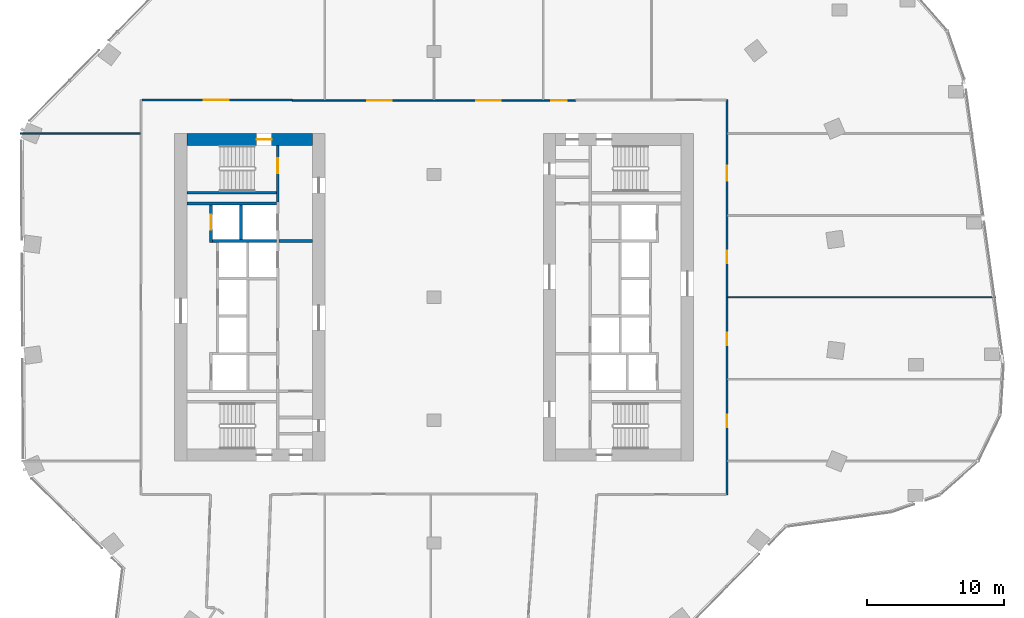
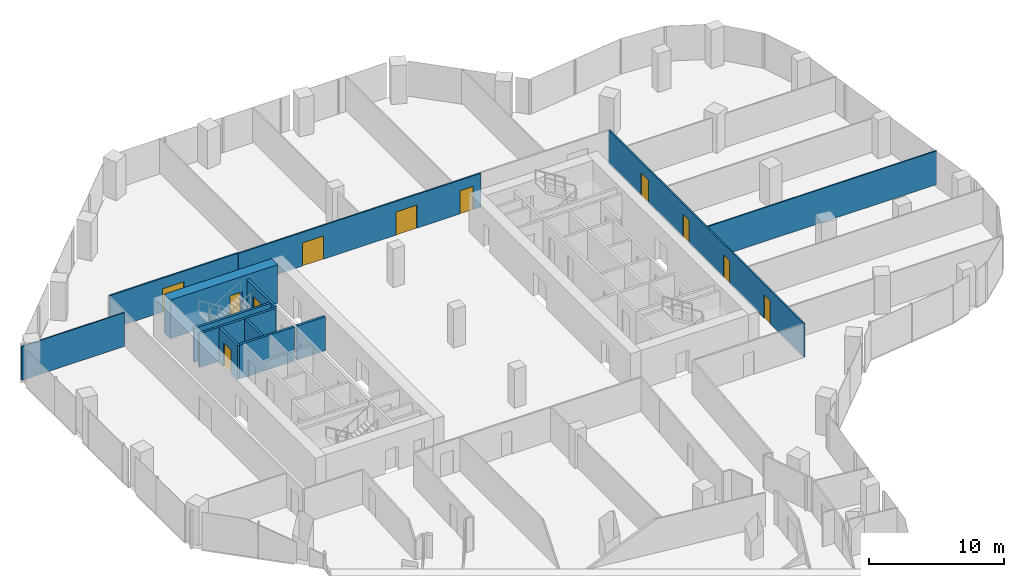
# One storey, part 22 of 27: 13 walls, 11 doors, 11 openings.
"""IFC4 building model written with IfcOpenShell, lengths in metres."""

import ifcopenshell
import ifcopenshell.guid

model = None  # the IFC model being written
_history = None  # IfcOwnerHistory: only IFC2X3 demands one
_inside = {}  # id of a spatial element -> (the spatial element, [elements in it])
_under = {}  # id of a project, library or spatial element -> (it, [spatial elements below it])
_declared = {}  # id of a project -> (the project, [libraries it declares])
_typed = {}  # id of a type object -> (the type object, [elements of that type])
_made_of = {}  # id of a material, layer set ... -> (it, [elements and type objects made of it])


def new_model(schema):
    """Start an empty IFC model of exactly this schema.

    Asked for "IFC4X3", IfcOpenShell would pick the latest addendum, in which some entities
    have other attributes; the version numbers below select the first issue.
    IFC2X3 requires an IfcOwnerHistory on every rooted entity: one is made here for all.
    """
    global model, _history
    if schema == "IFC4X3":
        model = ifcopenshell.file(schema_version=(4, 3, 0, 0))
    else:
        model = ifcopenshell.file(schema=schema)
    _inside.clear()
    _under.clear()
    _declared.clear()
    _typed.clear()
    _made_of.clear()
    _history = None
    if model.schema == "IFC2X3":
        org = make("IfcOrganization", Name="unknown")
        user = make(
            "IfcPersonAndOrganization",
            ThePerson=make("IfcPerson", FamilyName="unknown"),
            TheOrganization=org,
        )
        app = make(
            "IfcApplication",
            ApplicationDeveloper=org,
            Version="unknown",
            ApplicationFullName="unknown",
            ApplicationIdentifier="unknown",
        )
        _history = make(
            "IfcOwnerHistory",
            OwningUser=user,
            OwningApplication=app,
            ChangeAction="ADDED",
            CreationDate=0,
        )
    return model


def make(cls, **values):
    """One entity of the class cls with the attributes given. An attribute that is None is left unset."""
    return model.create_entity(
        cls, **{name: value for name, value in values.items() if value is not None}
    )


def rooted(cls, **values):
    """An entity with a GlobalId (a new one), such as an element, a storey or a relation."""
    return make(cls, GlobalId=ifcopenshell.guid.new(), OwnerHistory=_history, **values)


def si_unit(unit_type, name, prefix=None):
    """IfcSIUnit, for example si_unit("LENGTHUNIT", "METRE", prefix="MILLI")."""
    return make("IfcSIUnit", UnitType=unit_type, Prefix=prefix, Name=name)


def assignment(units):
    """IfcUnitAssignment: the units of a project."""
    return None if units is None else make("IfcUnitAssignment", Units=units)


def point(xyz):
    """IfcCartesianPoint."""
    return None if xyz is None else make("IfcCartesianPoint", Coordinates=xyz)


def direction(xyz):
    """IfcDirection."""
    return None if xyz is None else make("IfcDirection", DirectionRatios=xyz)


def frame(location, z_axis=None, x_axis=None):
    """IfcAxis2Placement3D, a coordinate frame: its origin and axes. An axis left out is left unset."""
    return make(
        "IfcAxis2Placement3D",
        Location=point(location),
        Axis=direction(z_axis),
        RefDirection=direction(x_axis),
    )


def frame_2d(location, x_axis=None):
    """IfcAxis2Placement2D, a coordinate frame in the plane: its origin and x axis."""
    return make(
        "IfcAxis2Placement2D", Location=point(location), RefDirection=direction(x_axis)
    )


def origin():
    """The frame at (0, 0, 0) with its axes left unset."""
    return frame((0.0, 0.0, 0.0))


def place(relative_to, where):
    """IfcLocalPlacement: puts the frame where relative to a parent placement (None: the world)."""
    return make(
        "IfcLocalPlacement", PlacementRelTo=relative_to, RelativePlacement=where
    )


def context(
    kind, dimensions, precision=None, world=None, true_north=None, identifier=None
):
    """IfcGeometricRepresentationContext, for example the 3D "Model" context."""
    return make(
        "IfcGeometricRepresentationContext",
        ContextIdentifier=identifier,
        ContextType=kind,
        CoordinateSpaceDimension=dimensions,
        Precision=precision,
        WorldCoordinateSystem=world,
        TrueNorth=true_north,
    )


def subcontext(parent, identifier, kind, view, scale=None):
    """IfcGeometricRepresentationSubContext, for example "Body" below "Model"."""
    return make(
        "IfcGeometricRepresentationSubContext",
        ContextIdentifier=identifier,
        ContextType=kind,
        ParentContext=parent,
        TargetScale=scale,
        TargetView=view,
    )


def project(units=None, contexts=None):
    """IfcProject with its units and contexts."""
    return rooted(
        "IfcProject",
        Name="project",
        RepresentationContexts=contexts,
        UnitsInContext=assignment(units),
    )


def spatial(cls, under=None, at=None, **own):
    """A site, building, storey or space (cls), placed at a placement, below another one or the project."""
    s = rooted(cls, ObjectPlacement=at, **own)
    if under is not None:
        _under.setdefault(under.id(), (under, []))[1].append(s)
    return s


def profile(cls, at=None, kind="AREA", **sizes):
    """A parametric profile (cls). Its sizes go by their IFC names, for example OverallWidth=200.0."""
    return make(cls, ProfileType=kind, Position=at, **sizes)


def rectangle(**sizes):
    """IfcRectangleProfileDef."""
    return profile("IfcRectangleProfileDef", **sizes)


def extrude(swept, where, along, depth):
    """IfcExtrudedAreaSolid: the profile swept, set in the frame where, extruded along a direction by depth."""
    return make(
        "IfcExtrudedAreaSolid",
        SweptArea=swept,
        Position=where,
        ExtrudedDirection=direction(along),
        Depth=depth,
    )


def shape(context_of_items, identifier, shape_type, items):
    """IfcShapeRepresentation: the items that make up one representation, for example the "Body"."""
    return make(
        "IfcShapeRepresentation",
        ContextOfItems=context_of_items,
        RepresentationIdentifier=identifier,
        RepresentationType=shape_type,
        Items=items,
    )


def material(Name=None, Category=None):
    """IfcMaterial."""
    return make("IfcMaterial", Name=Name, Category=Category)


def layer(
    of_material, thickness, ventilated=None, Name=None, Category=None, Priority=None
):
    """IfcMaterialLayer: one layer of a wall or slab, of a material (None: an air gap)."""
    return make(
        "IfcMaterialLayer",
        Material=of_material,
        LayerThickness=thickness,
        IsVentilated=ventilated,
        Name=Name,
        Category=Category,
        Priority=Priority,
    )


def layer_set(layers, Name=None):
    """IfcMaterialLayerSet."""
    return make("IfcMaterialLayerSet", MaterialLayers=layers, LayerSetName=Name)


def made_of(thing, what):
    """Note that an element or type object is made of a material, layer set ...; save() writes the relation."""
    if what is not None:
        _made_of.setdefault(what.id(), (what, []))[1].append(thing)
    return thing


def type_object(cls, material=None, **own):
    """A type object (cls), such as IfcWallType, which elements share."""
    return made_of(rooted(cls, **own), material)


def element(
    cls,
    number,
    at=None,
    inside=None,
    cuts=None,
    type_object=None,
    material=None,
    context=None,
    identifier="Body",
    shape_type=None,
    held_by="IfcProductDefinitionShape",
    body=None,
    shapes=None,
    **own,
):
    """One element of the class cls, such as IfcWall. Its Tag is "e" and its number.

    at: its placement. inside: the storey or other place that contains it. cuts: it is an
    opening in that element (IfcRelVoidsElement). A single representation is given by context,
    identifier, shape_type and body (its items); several are given by shapes. held_by: the class
    of the entity that holds the representations. save() writes the other relations.
    """
    e = rooted(cls, Tag="e%d" % number, ObjectPlacement=at, **own)
    if body is not None:
        shapes = [shape(context, identifier, shape_type, body)]
    if shapes is not None:
        e.Representation = make(held_by, Representations=shapes)
    if inside is not None:
        _inside.setdefault(inside.id(), (inside, []))[1].append(e)
    if cuts is not None:
        rooted(
            "IfcRelVoidsElement", RelatingBuildingElement=cuts, RelatedOpeningElement=e
        )
    if type_object is not None:
        _typed.setdefault(type_object.id(), (type_object, []))[1].append(e)
    return made_of(e, material)


def fill(opening, filler):
    """IfcRelFillsElement: the door or window that sits in an opening."""
    return rooted(
        "IfcRelFillsElement",
        RelatingOpeningElement=opening,
        RelatedBuildingElement=filler,
    )


def aggregate(whole, parts):
    """IfcRelAggregates: a whole, such as a stair, and the parts it consists of."""
    return rooted("IfcRelAggregates", RelatingObject=whole, RelatedObjects=parts)


def save(model, path):
    """Write the relations noted so far, then the file.

    IfcRelAggregates (storeys below a building ...), IfcRelContainedInSpatialStructure (elements
    in a storey), IfcRelDefinesByType, IfcRelAssociatesMaterial and IfcRelDeclares: one each for
    every whole, place, type object, material and project.
    """
    for whole, parts in _under.values():
        aggregate(whole, parts)
    for where, things in _inside.values():
        rooted(
            "IfcRelContainedInSpatialStructure",
            RelatedElements=things,
            RelatingStructure=where,
        )
    for kind, things in _typed.values():
        rooted("IfcRelDefinesByType", RelatedObjects=things, RelatingType=kind)
    for what, things in _made_of.values():
        rooted("IfcRelAssociatesMaterial", RelatedObjects=things, RelatingMaterial=what)
    for by, libraries in _declared.values():
        rooted("IfcRelDeclares", RelatingContext=by, RelatedDefinitions=libraries)
    model.write(path)


model = new_model("IFC4")

# Units and contexts
model_context = context("Model", 3, precision=1e-05, world=origin(), true_north=direction((0.0, 1.0)))
body_context = subcontext(model_context, "Body", "Model", "MODEL_VIEW")
ifc_project = project(units=[si_unit("LENGTHUNIT", "METRE"), si_unit("AREAUNIT", "SQUARE_METRE"), si_unit("VOLUMEUNIT", "CUBIC_METRE"), si_unit("PLANEANGLEUNIT", "RADIAN"), si_unit("MASSUNIT", "GRAM", prefix="KILO")], contexts=[model_context])

# Site, building, storey
site_placement = place(None, origin())
site = spatial("IfcSite", under=ifc_project, at=site_placement, CompositionType="ELEMENT")
building_placement = place(site_placement, origin())
building = spatial("IfcBuilding", under=site, at=building_placement, Name="Orlundy Tower", CompositionType="ELEMENT")
storey_placement = place(building_placement, frame((0.0, 0.0, 195.60009765625)))
storey = spatial("IfcBuildingStorey", under=building, at=storey_placement, Name="L51", CompositionType="ELEMENT", Elevation=195.60009765625)

# Wall, opening, door
ifc_material_1 = material(Name="Concrete C70/85", Category="concrete")
ifc_layer_1 = layer(ifc_material_1, 0.89990234375)
ifc_layer_set_1 = layer_set([ifc_layer_1], Name="CORE WALL 900 C70/85")
wall_type_1 = type_object("IfcWallType", Name="CORE WALL 900 C70/85", PredefinedType="SHEAR", material=ifc_layer_set_1)
wall_1_placement = place(storey_placement, frame((-18.10009765625, 11.550048828125, 0.0), z_axis=(0.0, 0.0, 1.0), x_axis=(1.0, 0.0, 0.0)))
wall_1 = element("IfcWall", 1, at=wall_1_placement, inside=storey, type_object=wall_type_1, Name="Core wall W-N L51", PredefinedType="SHEAR", context=body_context, shape_type="SweptSolid", body=[
    extrude(rectangle(XDim=9.2001953125, YDim=0.89990234375, at=frame_2d((4.60009765625, 0.0))), origin(), (0.0, 0.0, 1.0), 3.5),
])
opening_1_placement = place(wall_1_placement, frame((5.10009765625, 0.0, 0.0)))
opening_1 = element("IfcOpeningElement", 2, at=opening_1_placement, cuts=wall_1, Name="Opening 39012", PredefinedType="OPENING", context=body_context, shape_type="SweptSolid", body=[
    extrude(rectangle(XDim=1.10009765625, YDim=2.10009765625, at=frame_2d((0.550048828125, 1.050048828125))), frame((0.0, 0.4599609375, 0.0), z_axis=(0.0, -1.0, 0.0), x_axis=(1.0, 0.0, 0.0)), (0.0, 0.0, 1.0), 0.919921875),
])
ifc_material_2 = material(Name="Steel door set", Category="steel")
door_type_1 = type_object("IfcDoorType", Name="Stair Door 1100x2100", OperationType="SINGLE_SWING_LEFT", PredefinedType="DOOR", material=ifc_material_2)
door_1_placement = place(opening_1_placement, origin())
door_1 = element("IfcDoor", 3, at=door_1_placement, inside=storey, type_object=door_type_1, Name="Stair door 39012", OperationType="SINGLE_SWING_RIGHT", OverallHeight=2.10009765625, OverallWidth=1.10009765625, PredefinedType="DOOR", context=body_context, shape_type="SweptSolid", body=[
    extrude(rectangle(XDim=1.10009765625, YDim=2.10009765625, at=frame_2d((0.550048828125, 1.050048828125))), frame((0.0, 0.02490234375, 0.0), z_axis=(0.0, -1.0, 0.0), x_axis=(1.0, 0.0, 0.0)), (0.0, 0.0, 1.0), 0.050048828125),
])
fill(opening_1, door_1)

# Walls
ifc_material_3 = material(Name="Gypsum board partition")
ifc_layer_2 = layer(ifc_material_3, 0.10009765625)
ifc_layer_set_2 = layer_set([ifc_layer_2], Name="Floor partition 100")
wall_type_2 = type_object("IfcWallType", Name="Floor partition 100", PredefinedType="PARTITIONING", material=ifc_layer_set_2)
wall_2_placement = place(storey_placement, frame((21.511962890625, 0.0, 0.0), z_axis=(0.0, 0.0, 1.0), x_axis=(1.0, 0.0, 0.0)))
element("IfcWall", 4, at=wall_2_placement, inside=storey, type_object=wall_type_2, Name="wall-int-L51-036", PredefinedType="PARTITIONING", context=body_context, shape_type="SweptSolid", body=[
    extrude(rectangle(XDim=19.6220703125, YDim=0.10009765625, at=frame_2d((9.81103515625, 0.0))), origin(), (0.0, 0.0, 1.0), 3.059814453125),
])
wall_3_placement = place(storey_placement, frame((-30.321044921875, 12.0, 0.0), z_axis=(0.0, 0.0, 1.0), x_axis=(1.0, 0.0, 0.0)))
element("IfcWall", 5, at=wall_3_placement, inside=storey, type_object=wall_type_2, Name="wall-int-L51-038", PredefinedType="PARTITIONING", context=body_context, shape_type="SweptSolid", body=[
    extrude(rectangle(XDim=8.80908203125, YDim=0.10009765625, at=frame_2d((4.404541015625, 0.0))), origin(), (0.0, 0.0, 1.0), 3.059814453125),
])

# Wall, openings, doors
ifc_material_4 = material(Name="Gypsum board partition, double layer")
ifc_layer_3 = layer(ifc_material_4, 0.125)
ifc_layer_set_3 = layer_set([ifc_layer_3], Name="Floor partition 125")
wall_type_3 = type_object("IfcWallType", Name="Floor partition 125", PredefinedType="PARTITIONING", material=ifc_layer_set_3)
wall_4_placement = place(storey_placement, frame((-10.389892578125, 14.40087890625, 0.0), z_axis=(0.0, 0.0, 1.0), x_axis=(1.0, 0.0, 0.0)))
wall_4 = element("IfcWall", 6, at=wall_4_placement, inside=storey, type_object=wall_type_3, Name="wall-int-L51-040", PredefinedType="PARTITIONING", context=body_context, shape_type="SweptSolid", body=[
    extrude(rectangle(XDim=20.781005859375, YDim=0.125, at=frame_2d((10.390625, 0.0))), origin(), (0.0, 0.0, 1.0), 3.059814453125),
])
opening_2_placement = place(wall_4_placement, frame((18.989990234375, 0.0, 0.0)))
opening_2 = element("IfcOpeningElement", 7, at=opening_2_placement, cuts=wall_4, Name="Opening 39123", PredefinedType="OPENING", context=body_context, shape_type="SweptSolid", body=[
    extrude(rectangle(XDim=1.10009765625, YDim=2.10009765625, at=frame_2d((0.550048828125, 1.050048828125))), frame((0.0, 0.072509765625, 0.0), z_axis=(0.0, -1.0, 0.0), x_axis=(1.0, 0.0, 0.0)), (0.0, 0.0, 1.0), 0.14501953125),
])
opening_3_placement = place(wall_4_placement, frame((13.489990234375, 0.0, 0.0)))
opening_3 = element("IfcOpeningElement", 8, at=opening_3_placement, cuts=wall_4, Name="Opening 39124", PredefinedType="OPENING", context=body_context, shape_type="SweptSolid", body=[
    extrude(rectangle(XDim=1.800048828125, YDim=2.10009765625, at=frame_2d((0.89990234375, 1.050048828125))), frame((0.0, 0.072509765625, 0.0), z_axis=(0.0, -1.0, 0.0), x_axis=(1.0, 0.0, 0.0)), (0.0, 0.0, 1.0), 0.14501953125),
])
opening_4_placement = place(wall_4_placement, frame((5.489990234375, 0.0, 0.0)))
opening_4 = element("IfcOpeningElement", 9, at=opening_4_placement, cuts=wall_4, Name="Opening 39125", PredefinedType="OPENING", context=body_context, shape_type="SweptSolid", body=[
    extrude(rectangle(XDim=1.800048828125, YDim=2.10009765625, at=frame_2d((0.89990234375, 1.050048828125))), frame((0.0, 0.072509765625, 0.0), z_axis=(0.0, -1.0, 0.0), x_axis=(1.0, 0.0, 0.0)), (0.0, 0.0, 1.0), 0.14501953125),
])
ifc_material_5 = material(Name="Timber door leaf", Category="wood")
door_type_2 = type_object("IfcDoorType", Name="Floor door double 1800 FD30S", OperationType="NOTDEFINED", PredefinedType="DOOR", material=ifc_material_5)
door_2_placement = place(opening_3_placement, origin())
door_2 = element("IfcDoor", 10, at=door_2_placement, inside=storey, type_object=door_type_2, Name="Door 39124", OperationType="DOUBLE_DOOR_SINGLE_SWING", OverallHeight=2.10009765625, OverallWidth=1.800048828125, PredefinedType="DOOR", context=body_context, shape_type="SweptSolid", body=[
    extrude(rectangle(XDim=1.800048828125, YDim=2.10009765625, at=frame_2d((0.89990234375, 1.050048828125))), frame((0.0, 0.02490234375, 0.0), z_axis=(0.0, -1.0, 0.0), x_axis=(1.0, 0.0, 0.0)), (0.0, 0.0, 1.0), 0.050048828125),
])
fill(opening_3, door_2)
door_3_placement = place(opening_4_placement, origin())
door_3 = element("IfcDoor", 11, at=door_3_placement, inside=storey, type_object=door_type_2, Name="Door 39125", OperationType="DOUBLE_DOOR_SINGLE_SWING", OverallHeight=2.10009765625, OverallWidth=1.800048828125, PredefinedType="DOOR", context=body_context, shape_type="SweptSolid", body=[
    extrude(rectangle(XDim=1.800048828125, YDim=2.10009765625, at=frame_2d((0.89990234375, 1.050048828125))), frame((0.0, 0.02490234375, 0.0), z_axis=(0.0, -1.0, 0.0), x_axis=(1.0, 0.0, 0.0)), (0.0, 0.0, 1.0), 0.050048828125),
])
fill(opening_4, door_3)
ifc_material_6 = material(Name="Timber door leaf", Category="wood")
door_type_3 = type_object("IfcDoorType", Name="Floor door xwide 1100 FD30S", OperationType="NOTDEFINED", PredefinedType="DOOR", material=ifc_material_6)
door_4_placement = place(opening_2_placement, origin())
door_4 = element("IfcDoor", 12, at=door_4_placement, inside=storey, type_object=door_type_3, Name="Door 39123", OperationType="SINGLE_SWING_RIGHT", OverallHeight=2.10009765625, OverallWidth=1.10009765625, PredefinedType="DOOR", context=body_context, shape_type="SweptSolid", body=[
    extrude(rectangle(XDim=1.10009765625, YDim=2.10009765625, at=frame_2d((0.550048828125, 1.050048828125))), frame((0.0, 0.02490234375, 0.0), z_axis=(0.0, -1.0, 0.0), x_axis=(1.0, 0.0, 0.0)), (0.0, 0.0, 1.0), 0.050048828125),
])
fill(opening_2, door_4)

# Wall, opening, door
wall_5_placement = place(storey_placement, frame((-21.386962890625, 14.450927734375, 0.0), z_axis=(0.0, 0.0, 1.0), x_axis=(1.0, 0.0, 0.0)))
wall_5 = element("IfcWall", 13, at=wall_5_placement, inside=storey, type_object=wall_type_3, Name="wall-int-L51-041", PredefinedType="PARTITIONING", context=body_context, shape_type="SweptSolid", body=[
    extrude(rectangle(XDim=10.995849609375, YDim=0.125, at=frame_2d((5.498046875, 0.0))), origin(), (0.0, 0.0, 1.0), 3.059814453125),
])
opening_5_placement = place(wall_5_placement, frame((4.53759765625, 0.0, 0.0)))
opening_5 = element("IfcOpeningElement", 14, at=opening_5_placement, cuts=wall_5, Name="Opening 39126", PredefinedType="OPENING", context=body_context, shape_type="SweptSolid", body=[
    extrude(rectangle(XDim=1.800048828125, YDim=2.10009765625, at=frame_2d((0.89990234375, 1.050048828125))), frame((0.0, 0.072509765625, 0.0), z_axis=(0.0, -1.0, 0.0), x_axis=(1.0, 0.0, 0.0)), (0.0, 0.0, 1.0), 0.14501953125),
])
door_5_placement = place(opening_5_placement, origin())
door_5 = element("IfcDoor", 15, at=door_5_placement, inside=storey, type_object=door_type_2, Name="Door 39126", OperationType="DOUBLE_DOOR_SINGLE_SWING", OverallHeight=2.10009765625, OverallWidth=1.800048828125, PredefinedType="DOOR", context=body_context, shape_type="SweptSolid", body=[
    extrude(rectangle(XDim=1.800048828125, YDim=2.10009765625, at=frame_2d((0.89990234375, 1.050048828125))), frame((0.0, 0.02490234375, 0.0), z_axis=(0.0, -1.0, 0.0), x_axis=(1.0, 0.0, 0.0)), (0.0, 0.0, 1.0), 0.050048828125),
])
fill(opening_5, door_5)

# Wall, openings, doors
wall_6_placement = place(storey_placement, frame((21.449951171875, 14.450927734375, 0.0), z_axis=(0.0, 0.0, 1.0), x_axis=(0.0, -1.0, 0.0)))
wall_6 = element("IfcWall", 16, at=wall_6_placement, inside=storey, type_object=wall_type_3, Name="wall-int-L51-067", PredefinedType="PARTITIONING", context=body_context, shape_type="SweptSolid", body=[
    extrude(rectangle(XDim=28.90185546875, YDim=0.125, at=frame_2d((14.450927734375, 0.0))), origin(), (0.0, 0.0, 1.0), 3.059814453125),
])
opening_6_placement = place(wall_6_placement, frame((23.051025390625, 0.0, 0.0)))
opening_6 = element("IfcOpeningElement", 17, at=opening_6_placement, cuts=wall_6, Name="Opening 39118", PredefinedType="OPENING", context=body_context, shape_type="SweptSolid", body=[
    extrude(rectangle(XDim=0.89990234375, YDim=2.10009765625, at=frame_2d((0.449951171875, 1.050048828125))), frame((0.0, 0.072509765625, 0.0), z_axis=(0.0, -1.0, 0.0), x_axis=(1.0, 0.0, 0.0)), (0.0, 0.0, 1.0), 0.14501953125),
])
opening_7_placement = place(wall_6_placement, frame((17.051025390625, 0.0, 0.0)))
opening_7 = element("IfcOpeningElement", 18, at=opening_7_placement, cuts=wall_6, Name="Opening 39119", PredefinedType="OPENING", context=body_context, shape_type="SweptSolid", body=[
    extrude(rectangle(XDim=0.89990234375, YDim=2.10009765625, at=frame_2d((0.449951171875, 1.050048828125))), frame((0.0, 0.072509765625, 0.0), z_axis=(0.0, -1.0, 0.0), x_axis=(1.0, 0.0, 0.0)), (0.0, 0.0, 1.0), 0.14501953125),
])
opening_8_placement = place(wall_6_placement, frame((11.051025390625, 0.0, 0.0)))
opening_8 = element("IfcOpeningElement", 19, at=opening_8_placement, cuts=wall_6, Name="Opening 39120", PredefinedType="OPENING", context=body_context, shape_type="SweptSolid", body=[
    extrude(rectangle(XDim=0.89990234375, YDim=2.10009765625, at=frame_2d((0.449951171875, 1.050048828125))), frame((0.0, 0.072509765625, 0.0), z_axis=(0.0, -1.0, 0.0), x_axis=(1.0, 0.0, 0.0)), (0.0, 0.0, 1.0), 0.14501953125),
])
opening_9_placement = place(wall_6_placement, frame((4.801025390625, 0.0, 0.0)))
opening_9 = element("IfcOpeningElement", 20, at=opening_9_placement, cuts=wall_6, Name="Opening 39121", PredefinedType="OPENING", context=body_context, shape_type="SweptSolid", body=[
    extrude(rectangle(XDim=1.10009765625, YDim=2.10009765625, at=frame_2d((0.550048828125, 1.050048828125))), frame((0.0, 0.072509765625, 0.0), z_axis=(0.0, -1.0, 0.0), x_axis=(1.0, 0.0, 0.0)), (0.0, 0.0, 1.0), 0.14501953125),
])
ifc_material_7 = material(Name="Timber door leaf", Category="wood")
door_type_4 = type_object("IfcDoorType", Name="Floor door single 900 FD30S", OperationType="NOTDEFINED", PredefinedType="DOOR", material=ifc_material_7)
door_6_placement = place(opening_6_placement, origin())
door_6 = element("IfcDoor", 21, at=door_6_placement, inside=storey, type_object=door_type_4, Name="Door 39118", OperationType="SINGLE_SWING_RIGHT", OverallHeight=2.10009765625, OverallWidth=0.89990234375, PredefinedType="DOOR", context=body_context, shape_type="SweptSolid", body=[
    extrude(rectangle(XDim=0.89990234375, YDim=2.10009765625, at=frame_2d((0.449951171875, 1.050048828125))), frame((0.0, 0.02490234375, 0.0), z_axis=(0.0, -1.0, 0.0), x_axis=(1.0, 0.0, 0.0)), (0.0, 0.0, 1.0), 0.050048828125),
])
fill(opening_6, door_6)
door_7_placement = place(opening_7_placement, origin())
door_7 = element("IfcDoor", 22, at=door_7_placement, inside=storey, type_object=door_type_4, Name="Door 39119", OperationType="SINGLE_SWING_RIGHT", OverallHeight=2.10009765625, OverallWidth=0.89990234375, PredefinedType="DOOR", context=body_context, shape_type="SweptSolid", body=[
    extrude(rectangle(XDim=0.89990234375, YDim=2.10009765625, at=frame_2d((0.449951171875, 1.050048828125))), frame((0.0, 0.02490234375, 0.0), z_axis=(0.0, -1.0, 0.0), x_axis=(1.0, 0.0, 0.0)), (0.0, 0.0, 1.0), 0.050048828125),
])
fill(opening_7, door_7)
door_8_placement = place(opening_8_placement, origin())
door_8 = element("IfcDoor", 23, at=door_8_placement, inside=storey, type_object=door_type_4, Name="Door 39120", OperationType="SINGLE_SWING_LEFT", OverallHeight=2.10009765625, OverallWidth=0.89990234375, PredefinedType="DOOR", context=body_context, shape_type="SweptSolid", body=[
    extrude(rectangle(XDim=0.89990234375, YDim=2.10009765625, at=frame_2d((0.449951171875, 1.050048828125))), frame((0.0, 0.02490234375, 0.0), z_axis=(0.0, -1.0, 0.0), x_axis=(1.0, 0.0, 0.0)), (0.0, 0.0, 1.0), 0.050048828125),
])
fill(opening_8, door_8)
door_9_placement = place(opening_9_placement, origin())
door_9 = element("IfcDoor", 24, at=door_9_placement, inside=storey, type_object=door_type_3, Name="Door 39121", OperationType="SINGLE_SWING_LEFT", OverallHeight=2.10009765625, OverallWidth=1.10009765625, PredefinedType="DOOR", context=body_context, shape_type="SweptSolid", body=[
    extrude(rectangle(XDim=1.10009765625, YDim=2.10009765625, at=frame_2d((0.550048828125, 1.050048828125))), frame((0.0, 0.02490234375, 0.0), z_axis=(0.0, -1.0, 0.0), x_axis=(1.0, 0.0, 0.0)), (0.0, 0.0, 1.0), 0.050048828125),
])
fill(opening_9, door_9)

# Wall, opening, door
ifc_material_8 = material(Name="Concrete C40/50", Category="concrete")
ifc_layer_4 = layer(ifc_material_8, 0.199951171875)
ifc_layer_set_4 = layer_set([ifc_layer_4], Name="Load-bearing Shaft Wall 200")
wall_type_4 = type_object("IfcWallType", Name="Load-bearing Shaft Wall 200", PredefinedType="SOLIDWALL", material=ifc_layer_set_4)
wall_7_placement = place(storey_placement, frame((-11.43994140625, 6.97509765625, 0.0), z_axis=(0.0, 0.0, 1.0), x_axis=(0.0, 1.0, 0.0)))
wall_7 = element("IfcWall", 25, at=wall_7_placement, inside=storey, type_object=wall_type_4, Name="Shaft wall W39-stair-end-n", PredefinedType="SOLIDWALL", context=body_context, shape_type="SweptSolid", body=[
    extrude(rectangle(XDim=4.125, YDim=0.199951171875, at=frame_2d((2.0625, 0.0))), origin(), (0.0, 0.0, 1.0), 3.079833984375),
])
opening_10_placement = place(wall_7_placement, frame((2.10009765625, 0.0, 0.0)))
opening_10 = element("IfcOpeningElement", 26, at=opening_10_placement, cuts=wall_7, Name="Opening 39014", PredefinedType="OPENING", context=body_context, shape_type="SweptSolid", body=[
    extrude(rectangle(XDim=1.10009765625, YDim=2.10009765625, at=frame_2d((0.550048828125, 1.050048828125))), frame((0.0, 0.110107421875, 0.0), z_axis=(0.0, -1.0, 0.0), x_axis=(1.0, 0.0, 0.0)), (0.0, 0.0, 1.0), 0.22021484375),
])
ifc_material_9 = material(Name="Steel door set", Category="steel")
door_type_5 = type_object("IfcDoorType", Name="Fire-fighting Lobby Door 1100x2100", OperationType="SINGLE_SWING_LEFT", PredefinedType="DOOR", material=ifc_material_9)
door_10_placement = place(opening_10_placement, origin())
door_10 = element("IfcDoor", 27, at=door_10_placement, inside=storey, type_object=door_type_5, Name="Fire-fighting lobby to stair door 39014", OperationType="SINGLE_SWING_RIGHT", OverallHeight=2.10009765625, OverallWidth=1.10009765625, PredefinedType="DOOR", context=body_context, shape_type="SweptSolid", body=[
    extrude(rectangle(XDim=1.10009765625, YDim=2.10009765625, at=frame_2d((0.550048828125, 1.050048828125))), frame((0.0, 0.02490234375, 0.0), z_axis=(0.0, -1.0, 0.0), x_axis=(1.0, 0.0, 0.0)), (0.0, 0.0, 1.0), 0.050048828125),
])
fill(opening_10, door_10)

# Walls
wall_8_placement = place(storey_placement, frame((-11.5400390625, 7.64990234375, 0.0), z_axis=(0.0, 0.0, 1.0), x_axis=(-1.0, 0.0, 0.0)))
element("IfcWall", 28, at=wall_8_placement, inside=storey, type_object=wall_type_4, Name="Shaft wall W39-stair-side-n", PredefinedType="SOLIDWALL", context=body_context, shape_type="SweptSolid", body=[
    extrude(rectangle(XDim=6.56005859375, YDim=0.199951171875, at=frame_2d((3.280029296875, 0.0))), origin(), (0.0, 0.0, 1.0), 3.079833984375),
])
ifc_material_10 = material(Name="Gypsum board partition on steel studs", Category="steel")
ifc_layer_5 = layer(ifc_material_10, 0.199951171875)
ifc_layer_set_5 = layer_set([ifc_layer_5], Name="Partition 200")
wall_type_5 = type_object("IfcWallType", Name="Partition 200", PredefinedType="PARTITIONING", material=ifc_layer_set_5)
wall_9_placement = place(storey_placement, frame((-8.89990234375, 4.125, 0.0), z_axis=(0.0, 0.0, 1.0), x_axis=(-1.0, 0.0, 0.0)))
element("IfcWall", 29, at=wall_9_placement, inside=storey, type_object=wall_type_5, Name="Partition wall W39-lobby-n", PredefinedType="PARTITIONING", context=body_context, shape_type="SweptSolid", body=[
    extrude(rectangle(XDim=2.440185546875, YDim=0.199951171875, at=frame_2d((1.22021484375, 0.0))), origin(), (0.0, 0.0, 1.0), 3.079833984375),
])
ifc_material_11 = material(Name="Fire-rated blockwork shaft wall", Category="masonry")
ifc_layer_6 = layer(ifc_material_11, 0.199951171875)
ifc_layer_set_6 = layer_set([ifc_layer_6], Name="Shaft Wall 200")
wall_type_6 = type_object("IfcWallType", Name="Shaft Wall 200", PredefinedType="SOLIDWALL", material=ifc_layer_set_6)
wall_10_placement = place(storey_placement, frame((-11.5400390625, 6.875, 0.0), z_axis=(0.0, 0.0, 1.0), x_axis=(-1.0, 0.0, 0.0)))
element("IfcWall", 30, at=wall_10_placement, inside=storey, type_object=wall_type_6, Name="Shaft wall W39-zone-n", PredefinedType="SOLIDWALL", context=body_context, shape_type="SweptSolid", body=[
    extrude(rectangle(XDim=6.56005859375, YDim=0.199951171875, at=frame_2d((3.280029296875, 0.0))), origin(), (0.0, 0.0, 1.0), 3.079833984375),
])
wall_11_placement = place(storey_placement, frame((-11.5400390625, 4.125, 0.0), z_axis=(0.0, 0.0, 1.0), x_axis=(-1.0, 0.0, 0.0)))
element("IfcWall", 31, at=wall_11_placement, inside=storey, type_object=wall_type_6, Name="Shaft wall W39-cross+4.125", PredefinedType="SOLIDWALL", context=body_context, shape_type="SweptSolid", body=[
    extrude(rectangle(XDim=4.699951171875, YDim=0.199951171875, at=frame_2d((2.35009765625, 0.0))), origin(), (0.0, 0.0, 1.0), 3.079833984375),
])
wall_12_placement = place(storey_placement, frame((-14.139892578125, 4.22509765625, 0.0), z_axis=(0.0, 0.0, 1.0), x_axis=(0.0, 1.0, 0.0)))
element("IfcWall", 32, at=wall_12_placement, inside=storey, type_object=wall_type_6, Name="Shaft wall W39-mid-b", PredefinedType="SOLIDWALL", context=body_context, shape_type="SweptSolid", body=[
    extrude(rectangle(XDim=2.5498046875, YDim=0.199951171875, at=frame_2d((1.27490234375, 0.0))), origin(), (0.0, 0.0, 1.0), 3.079833984375),
])

# Wall, opening, door
wall_13_placement = place(storey_placement, frame((-16.340087890625, 4.02490234375, 0.0), z_axis=(0.0, 0.0, 1.0), x_axis=(0.0, 1.0, 0.0)))
wall_13 = element("IfcWall", 33, at=wall_13_placement, inside=storey, type_object=wall_type_6, Name="Shaft wall W39-front-o-c", PredefinedType="SOLIDWALL", context=body_context, shape_type="SweptSolid", body=[
    extrude(rectangle(XDim=2.75, YDim=0.199951171875, at=frame_2d((1.375, 0.0))), origin(), (0.0, 0.0, 1.0), 3.079833984375),
])
opening_11_placement = place(wall_13_placement, frame((0.925048828125, 0.0, 0.0)))
opening_11 = element("IfcOpeningElement", 34, at=opening_11_placement, cuts=wall_13, Name="Opening 39006", PredefinedType="OPENING", context=body_context, shape_type="SweptSolid", body=[
    extrude(rectangle(XDim=1.10009765625, YDim=2.10009765625, at=frame_2d((0.550048828125, 1.050048828125))), frame((0.0, 0.110107421875, 0.0), z_axis=(0.0, -1.0, 0.0), x_axis=(1.0, 0.0, 0.0)), (0.0, 0.0, 1.0), 0.22021484375),
])
ifc_material_12 = material(Name="Steel door set", Category="steel")
door_type_6 = type_object("IfcDoorType", Name="Landing Door 1100x2100", OperationType="DOUBLE_DOOR_SLIDING", PredefinedType="DOOR", material=ifc_material_12)
door_11_placement = place(opening_11_placement, origin())
door_11 = element("IfcDoor", 35, at=door_11_placement, inside=storey, type_object=door_type_6, Name="Lift landing door LP-14 39006", OperationType="DOUBLE_DOOR_SLIDING", OverallHeight=2.10009765625, OverallWidth=1.10009765625, PredefinedType="DOOR", context=body_context, shape_type="SweptSolid", body=[
    extrude(rectangle(XDim=1.10009765625, YDim=2.10009765625, at=frame_2d((0.550048828125, 1.050048828125))), frame((0.0, 0.02490234375, 0.0), z_axis=(0.0, -1.0, 0.0), x_axis=(1.0, 0.0, 0.0)), (0.0, 0.0, 1.0), 0.050048828125),
])
fill(opening_11, door_11)

save(model, "model.ifc")
